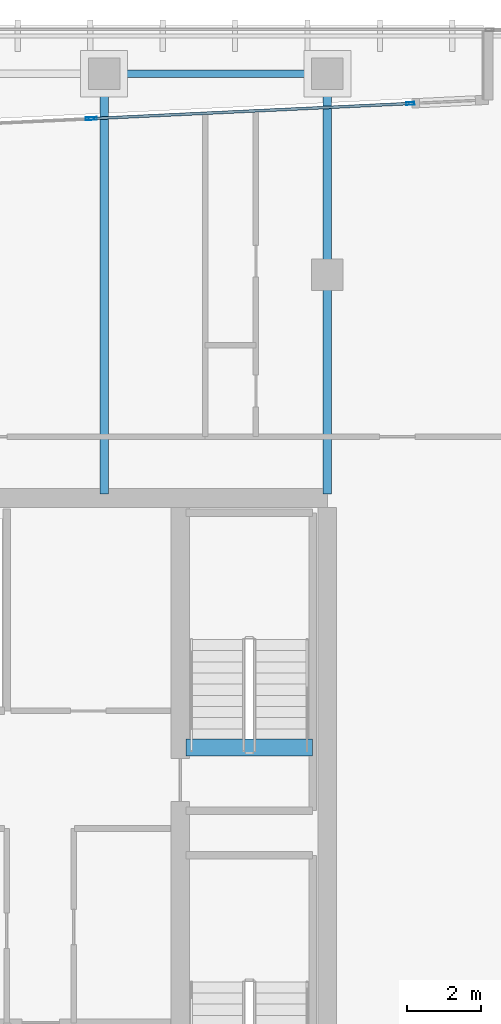
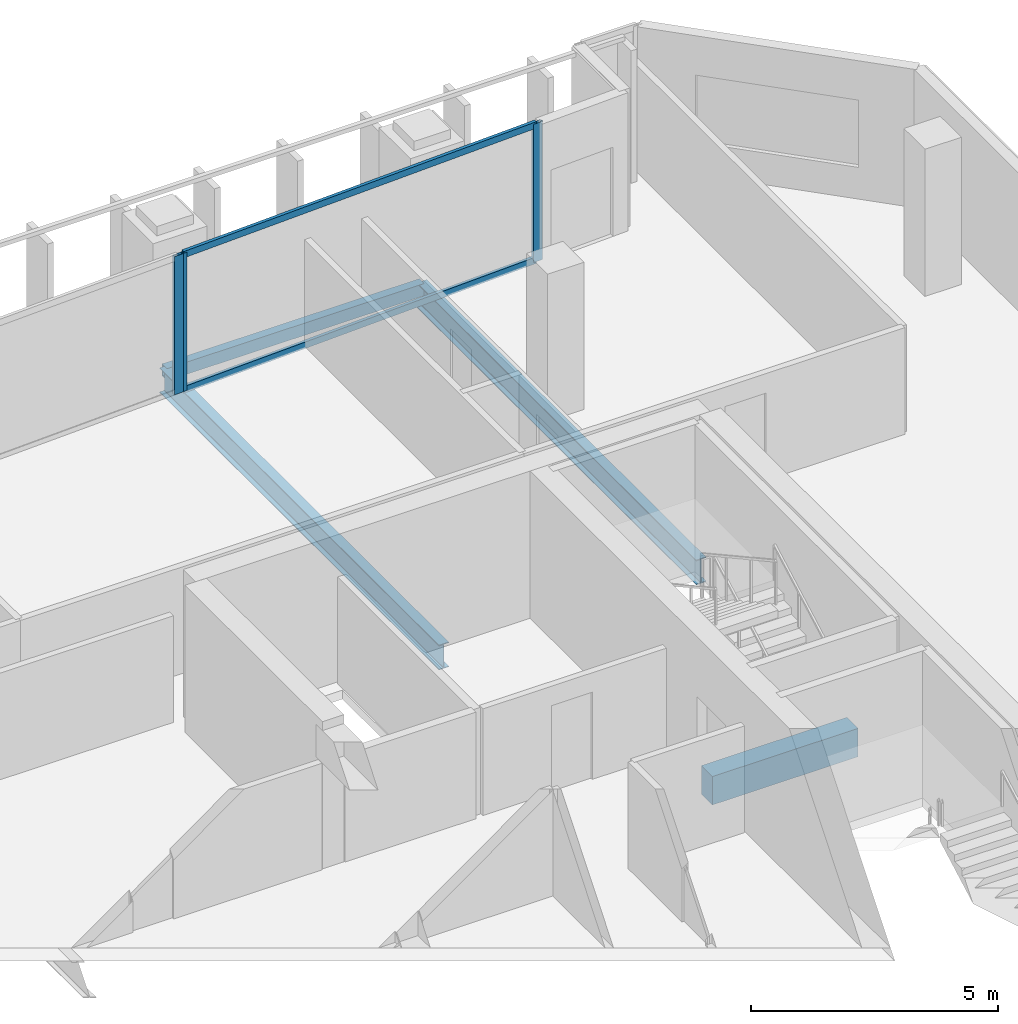
# One storey, part 15 of 28: 5 members, 4 beams, 2 elements without a shape of their own.
"""IFC4 building model written with IfcOpenShell, lengths in metres."""

from ifc_helpers import new_model, si_unit, direction, frame, origin, origin_2d, place, context, subcontext, project, spatial, rectangle, hollow_rectangle, i_section, extrude, material, layer, layer_set, material_profile, profile_set, type_object, element, aggregate, save


model = new_model("IFC4")

# Units and contexts
model_context = context("Model", 3, precision=1e-05, world=origin(), true_north=direction((0.0, 1.0)))
body_context = subcontext(model_context, "Body", "Model", "MODEL_VIEW")
ifc_project = project(units=[si_unit("LENGTHUNIT", "METRE"), si_unit("AREAUNIT", "SQUARE_METRE"), si_unit("VOLUMEUNIT", "CUBIC_METRE"), si_unit("PLANEANGLEUNIT", "RADIAN"), si_unit("MASSUNIT", "GRAM", prefix="KILO")], contexts=[model_context])

# Site, building, storey
site_placement = place(None, origin())
site = spatial("IfcSite", under=ifc_project, at=site_placement, CompositionType="ELEMENT")
building_placement = place(site_placement, origin())
building = spatial("IfcBuilding", under=site, at=building_placement, Name="Tanjung Sevakor Pilgrim Tower", CompositionType="ELEMENT")
storey_placement = place(building_placement, frame((0.0, 0.0, 158.39990234375)))
storey = spatial("IfcBuildingStorey", under=building, at=storey_placement, Name="L44", CompositionType="ELEMENT", Elevation=158.39990234375)

# Beams
ifc_material_1 = material(Name="Steel S355J2", Category="steel")
ifc_material_profile_1 = material_profile(ifc_material_1, i_section(OverallWidth=0.22900390625, OverallDepth=0.6123046875, WebThickness=0.011962890625, FlangeThickness=0.01953125, FilletRadius=0.0126953125, at=origin_2d()))
ifc_profile_set_1 = profile_set([ifc_material_profile_1], Name="Steel S355J2")
beam_type_1 = type_object("IfcBeamType", Name="BM-B-G4-UB_610x229x125", PredefinedType="BEAM", material=ifc_profile_set_1)
for number, where, z_axis, x_axis, name in (
    (1, (84.0, 42.715087890625, -0.526123046875), (0.0, 1.0, 0.0), (-1.0, 0.0, 0.0), "L44 MAIN Girder 026"),
    (2, (90.0, 42.715087890625, -0.526123046875), (0.0, 1.0, 0.0), (-1.0, 0.0, 0.0), "L44 MAIN Girder 028"),
):
    element("IfcBeam", number, at=place(storey_placement, frame(where, z_axis=z_axis, x_axis=x_axis)), inside=storey, type_object=beam_type_1, Name=name, PredefinedType="BEAM", context=body_context, shape_type="SweptSolid", body=[
        extrude(i_section(OverallWidth=0.22900390625, OverallDepth=0.6123046875, WebThickness=0.011962890625, FlangeThickness=0.01953125, FilletRadius=0.0126953125, at=origin_2d()), origin(), (0.0, 0.0, 1.0), 11.284912109375),
    ])
ifc_material_2 = material(Name="Concrete C60/75", Category="concrete")
ifc_material_profile_2 = material_profile(ifc_material_2, rectangle(XDim=0.449951171875, YDim=0.699951171875, at=origin_2d()))
ifc_profile_set_2 = profile_set([ifc_material_profile_2], Name="Concrete C60/75")
beam_type_2 = type_object("IfcBeamType", Name="BM-B-LN3-RC-BM_450x700", PredefinedType="LINTEL", material=ifc_profile_set_2)
beam_1_placement = place(storey_placement, frame((86.199951171875, 35.89990234375, -0.349853515625), z_axis=(1.0, 0.0, 0.0), x_axis=(0.0, 1.0, 0.0)))
element("IfcBeam", 3, at=beam_1_placement, inside=storey, type_object=beam_type_2, Name="L44 TS-E2 Stair Threshold Beam", PredefinedType="LINTEL", context=body_context, shape_type="SweptSolid", body=[
    extrude(rectangle(XDim=0.449951171875, YDim=0.699951171875, at=origin_2d()), origin(), (0.0, 0.0, 1.0), 3.400146484375),
])
ifc_material_3 = material(Name="Steel S355J2", Category="steel")
ifc_material_profile_3 = material_profile(ifc_material_3, hollow_rectangle(XDim=0.199951171875, YDim=0.300048828125, WallThickness=0.012451171875, at=origin_2d()))
ifc_profile_set_3 = profile_set([ifc_material_profile_3], Name="Steel S355J2")
beam_type_3 = type_object("IfcBeamType", Name="BM-B-SP3-RHS_300x200x12.5", PredefinedType="SPANDREL", material=ifc_profile_set_3)
beam_2_placement = place(storey_placement, frame((84.0, 54.0, -0.369873046875), z_axis=(1.0, 0.0, 0.0), x_axis=(0.0, 1.0, 0.0)))
element("IfcBeam", 4, at=beam_2_placement, inside=storey, type_object=beam_type_3, Name="L44 Spandrel MAIN N-18", PredefinedType="SPANDREL", context=body_context, shape_type="SweptSolid", body=[
    extrude(hollow_rectangle(XDim=0.199951171875, YDim=0.300048828125, WallThickness=0.012451171875, at=origin_2d()), origin(), (0.0, 0.0, 1.0), 6.0),
])

# Curtain wall, members
ifc_material_4 = material(Name="Aluminium 6063-T6 and Low-E Glass", Category="aluminium")
ifc_layer = layer(ifc_material_4, 0.199951171875)
ifc_layer_set = layer_set([ifc_layer], Name="CW-SYS-PRAY")
curtain_wall_type = type_object("IfcCurtainWallType", Name="CW-SYS-PRAY", PredefinedType="NOTDEFINED", material=ifc_layer_set)
curtain_wall_1_placement = place(storey_placement, origin())
curtain_wall_1 = element("IfcCurtainWall", 5, at=curtain_wall_1_placement, inside=storey, type_object=curtain_wall_type, Name="L44 Curtain Wall CW-PRY-L44-20B", PredefinedType="NOTDEFINED")
ifc_material_5 = material(Name="Aluminium 6063-T6", Category="aluminium")
ifc_material_profile_4 = material_profile(ifc_material_5, hollow_rectangle(XDim=0.074951171875, YDim=0.219970703125, WallThickness=0.0048828125, at=origin_2d()))
ifc_profile_set_4 = profile_set([ifc_material_profile_4], Name="Aluminium 6063-T6")
member_type_1 = type_object("IfcMemberType", Name="TYPE-CWM-2", PredefinedType="MULLION", material=ifc_profile_set_4)
member_1_placement = place(storey_placement, frame((92.229736328125, 53.201416015625, 0.0), z_axis=(0.0, 0.0, 1.0), x_axis=(0.047349114381, -0.998878401692, 0.0)))
member_1 = element("IfcMember", 6, at=member_1_placement, type_object=member_type_1, Name="CW-PRY mullion 1", PredefinedType="MULLION", context=body_context, shape_type="SweptSolid", body=[
    extrude(hollow_rectangle(XDim=0.074951171875, YDim=0.219970703125, WallThickness=0.0048828125, at=origin_2d()), origin(), (0.0, 0.0, 1.0), 3.41015625),
])
member_2_placement = place(storey_placement, frame((83.693359375, 52.796875, 0.0), z_axis=(0.0, 0.0, 1.0), x_axis=(0.047349114381, -0.998878401692, 0.0)))
member_2 = element("IfcMember", 7, at=member_2_placement, type_object=member_type_1, Name="CW-PRY mullion 2", PredefinedType="MULLION", context=body_context, shape_type="SweptSolid", body=[
    extrude(hollow_rectangle(XDim=0.074951171875, YDim=0.219970703125, WallThickness=0.0048828125, at=origin_2d()), origin(), (0.0, 0.0, 1.0), 3.41015625),
])

# Curtain wall, member
curtain_wall_2_placement = place(storey_placement, origin())
curtain_wall_2 = element("IfcCurtainWall", 8, at=curtain_wall_2_placement, inside=storey, type_object=curtain_wall_type, Name="L44 Curtain Wall CW-PRY-L44-21", PredefinedType="NOTDEFINED")
member_3_placement = place(storey_placement, frame((83.618408203125, 52.793212890625, 0.0), z_axis=(0.0, 0.0, 1.0), x_axis=(0.04733271113, -0.998879179109, 0.0)))
member_3 = element("IfcMember", 9, at=member_3_placement, type_object=member_type_1, Name="CW-PRY mullion 1", PredefinedType="MULLION", context=body_context, shape_type="SweptSolid", body=[
    extrude(hollow_rectangle(XDim=0.074951171875, YDim=0.219970703125, WallThickness=0.0048828125, at=origin_2d()), origin(), (0.0, 0.0, 1.0), 3.41015625),
])
aggregate(curtain_wall_2, [member_3])

# Member
ifc_material_6 = material(Name="Aluminium 6063-T6", Category="aluminium")
ifc_material_profile_5 = material_profile(ifc_material_6, hollow_rectangle(XDim=0.074951171875, YDim=0.159912109375, WallThickness=0.00439453125, at=origin_2d()))
ifc_profile_set_5 = profile_set([ifc_material_profile_5], Name="Aluminium 6063-T6")
member_type_2 = type_object("IfcMemberType", Name="TYPE-CWT-2", PredefinedType="USERDEFINED", material=ifc_profile_set_5)
member_4_placement = place(storey_placement, frame((92.1923828125, 53.19970703125, 0.03759765625), z_axis=(-0.998878286709, -0.047351540006, 0.0), x_axis=(0.047351540006, -0.998878286709, 0.0)))
member_4 = element("IfcMember", 10, at=member_4_placement, type_object=member_type_2, Name="CW-PRY transom 1.1", ObjectType="TRANSOM", PredefinedType="USERDEFINED", context=body_context, shape_type="SweptSolid", body=[
    extrude(hollow_rectangle(XDim=0.074951171875, YDim=0.159912109375, WallThickness=0.00439453125, at=origin_2d()), origin(), (0.0, 0.0, 1.0), 8.47119140625),
])

member_5_placement = place(storey_placement, frame((92.1923828125, 53.19970703125, 3.37255859375), z_axis=(-0.998878286709, -0.047351540006, 0.0), x_axis=(0.047351540006, -0.998878286709, 0.0)))
member_5 = element("IfcMember", 11, at=member_5_placement, type_object=member_type_2, Name="CW-PRY transom 1.2", ObjectType="TRANSOM", PredefinedType="USERDEFINED", context=body_context, shape_type="SweptSolid", body=[
    extrude(hollow_rectangle(XDim=0.074951171875, YDim=0.159912109375, WallThickness=0.00439453125, at=origin_2d()), origin(), (0.0, 0.0, 1.0), 8.47119140625),
])

aggregate(curtain_wall_1, [member_1, member_2, member_4, member_5])

save(model, "model.ifc")
